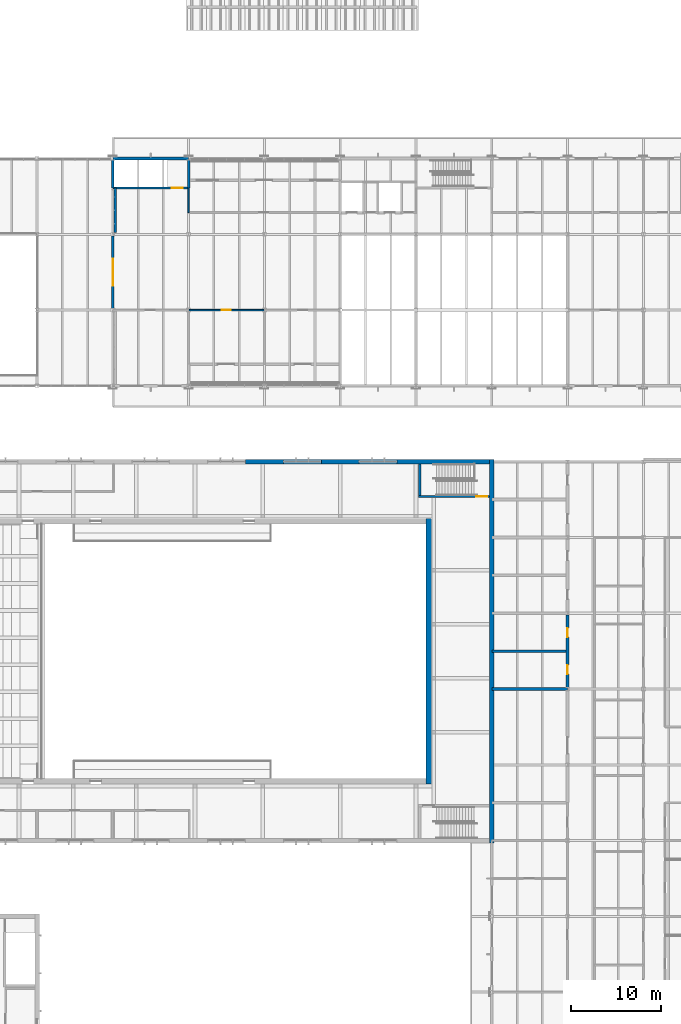
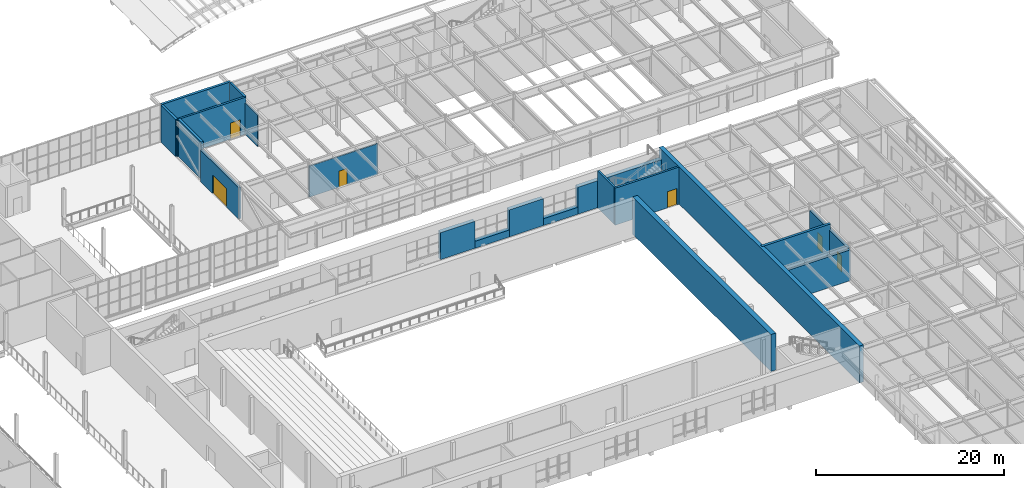
# One storey, part 78 of 116: 20 walls, 6 doors, 6 openings.
"""IFC4 building model written with IfcOpenShell, lengths in metres."""

import ifcopenshell
import ifcopenshell.guid

model = None  # the IFC model being written
_history = None  # IfcOwnerHistory: only IFC2X3 demands one
_inside = {}  # id of a spatial element -> (the spatial element, [elements in it])
_under = {}  # id of a project, library or spatial element -> (it, [spatial elements below it])
_declared = {}  # id of a project -> (the project, [libraries it declares])
_typed = {}  # id of a type object -> (the type object, [elements of that type])
_made_of = {}  # id of a material, layer set ... -> (it, [elements and type objects made of it])


def new_model(schema):
    """Start an empty IFC model of exactly this schema.

    Asked for "IFC4X3", IfcOpenShell would pick the latest addendum, in which some entities
    have other attributes; the version numbers below select the first issue.
    IFC2X3 requires an IfcOwnerHistory on every rooted entity: one is made here for all.
    """
    global model, _history
    if schema == "IFC4X3":
        model = ifcopenshell.file(schema_version=(4, 3, 0, 0))
    else:
        model = ifcopenshell.file(schema=schema)
    _inside.clear()
    _under.clear()
    _declared.clear()
    _typed.clear()
    _made_of.clear()
    _history = None
    if model.schema == "IFC2X3":
        org = make("IfcOrganization", Name="unknown")
        user = make(
            "IfcPersonAndOrganization",
            ThePerson=make("IfcPerson", FamilyName="unknown"),
            TheOrganization=org,
        )
        app = make(
            "IfcApplication",
            ApplicationDeveloper=org,
            Version="unknown",
            ApplicationFullName="unknown",
            ApplicationIdentifier="unknown",
        )
        _history = make(
            "IfcOwnerHistory",
            OwningUser=user,
            OwningApplication=app,
            ChangeAction="ADDED",
            CreationDate=0,
        )
    return model


def make(cls, **values):
    """One entity of the class cls with the attributes given. An attribute that is None is left unset."""
    return model.create_entity(
        cls, **{name: value for name, value in values.items() if value is not None}
    )


def rooted(cls, **values):
    """An entity with a GlobalId (a new one), such as an element, a storey or a relation."""
    return make(cls, GlobalId=ifcopenshell.guid.new(), OwnerHistory=_history, **values)


def si_unit(unit_type, name, prefix=None):
    """IfcSIUnit, for example si_unit("LENGTHUNIT", "METRE", prefix="MILLI")."""
    return make("IfcSIUnit", UnitType=unit_type, Prefix=prefix, Name=name)


def assignment(units):
    """IfcUnitAssignment: the units of a project."""
    return None if units is None else make("IfcUnitAssignment", Units=units)


def point(xyz):
    """IfcCartesianPoint."""
    return None if xyz is None else make("IfcCartesianPoint", Coordinates=xyz)


def direction(xyz):
    """IfcDirection."""
    return None if xyz is None else make("IfcDirection", DirectionRatios=xyz)


def frame(location, z_axis=None, x_axis=None):
    """IfcAxis2Placement3D, a coordinate frame: its origin and axes. An axis left out is left unset."""
    return make(
        "IfcAxis2Placement3D",
        Location=point(location),
        Axis=direction(z_axis),
        RefDirection=direction(x_axis),
    )


def frame_2d(location, x_axis=None):
    """IfcAxis2Placement2D, a coordinate frame in the plane: its origin and x axis."""
    return make(
        "IfcAxis2Placement2D", Location=point(location), RefDirection=direction(x_axis)
    )


def origin():
    """The frame at (0, 0, 0) with its axes left unset."""
    return frame((0.0, 0.0, 0.0))


def place(relative_to, where):
    """IfcLocalPlacement: puts the frame where relative to a parent placement (None: the world)."""
    return make(
        "IfcLocalPlacement", PlacementRelTo=relative_to, RelativePlacement=where
    )


def context(
    kind, dimensions, precision=None, world=None, true_north=None, identifier=None
):
    """IfcGeometricRepresentationContext, for example the 3D "Model" context."""
    return make(
        "IfcGeometricRepresentationContext",
        ContextIdentifier=identifier,
        ContextType=kind,
        CoordinateSpaceDimension=dimensions,
        Precision=precision,
        WorldCoordinateSystem=world,
        TrueNorth=true_north,
    )


def subcontext(parent, identifier, kind, view, scale=None):
    """IfcGeometricRepresentationSubContext, for example "Body" below "Model"."""
    return make(
        "IfcGeometricRepresentationSubContext",
        ContextIdentifier=identifier,
        ContextType=kind,
        ParentContext=parent,
        TargetScale=scale,
        TargetView=view,
    )


def project(units=None, contexts=None):
    """IfcProject with its units and contexts."""
    return rooted(
        "IfcProject",
        Name="project",
        RepresentationContexts=contexts,
        UnitsInContext=assignment(units),
    )


def spatial(cls, under=None, at=None, **own):
    """A site, building, storey or space (cls), placed at a placement, below another one or the project."""
    s = rooted(cls, ObjectPlacement=at, **own)
    if under is not None:
        _under.setdefault(under.id(), (under, []))[1].append(s)
    return s


def profile(cls, at=None, kind="AREA", **sizes):
    """A parametric profile (cls). Its sizes go by their IFC names, for example OverallWidth=200.0."""
    return make(cls, ProfileType=kind, Position=at, **sizes)


def rectangle(**sizes):
    """IfcRectangleProfileDef."""
    return profile("IfcRectangleProfileDef", **sizes)


def extrude(swept, where, along, depth):
    """IfcExtrudedAreaSolid: the profile swept, set in the frame where, extruded along a direction by depth."""
    return make(
        "IfcExtrudedAreaSolid",
        SweptArea=swept,
        Position=where,
        ExtrudedDirection=direction(along),
        Depth=depth,
    )


def shape(context_of_items, identifier, shape_type, items):
    """IfcShapeRepresentation: the items that make up one representation, for example the "Body"."""
    return make(
        "IfcShapeRepresentation",
        ContextOfItems=context_of_items,
        RepresentationIdentifier=identifier,
        RepresentationType=shape_type,
        Items=items,
    )


def material(Name=None, Category=None):
    """IfcMaterial."""
    return make("IfcMaterial", Name=Name, Category=Category)


def layer(
    of_material, thickness, ventilated=None, Name=None, Category=None, Priority=None
):
    """IfcMaterialLayer: one layer of a wall or slab, of a material (None: an air gap)."""
    return make(
        "IfcMaterialLayer",
        Material=of_material,
        LayerThickness=thickness,
        IsVentilated=ventilated,
        Name=Name,
        Category=Category,
        Priority=Priority,
    )


def layer_set(layers, Name=None):
    """IfcMaterialLayerSet."""
    return make("IfcMaterialLayerSet", MaterialLayers=layers, LayerSetName=Name)


def made_of(thing, what):
    """Note that an element or type object is made of a material, layer set ...; save() writes the relation."""
    if what is not None:
        _made_of.setdefault(what.id(), (what, []))[1].append(thing)
    return thing


def type_object(cls, material=None, **own):
    """A type object (cls), such as IfcWallType, which elements share."""
    return made_of(rooted(cls, **own), material)


def element(
    cls,
    number,
    at=None,
    inside=None,
    cuts=None,
    type_object=None,
    material=None,
    context=None,
    identifier="Body",
    shape_type=None,
    held_by="IfcProductDefinitionShape",
    body=None,
    shapes=None,
    **own,
):
    """One element of the class cls, such as IfcWall. Its Tag is "e" and its number.

    at: its placement. inside: the storey or other place that contains it. cuts: it is an
    opening in that element (IfcRelVoidsElement). A single representation is given by context,
    identifier, shape_type and body (its items); several are given by shapes. held_by: the class
    of the entity that holds the representations. save() writes the other relations.
    """
    e = rooted(cls, Tag="e%d" % number, ObjectPlacement=at, **own)
    if body is not None:
        shapes = [shape(context, identifier, shape_type, body)]
    if shapes is not None:
        e.Representation = make(held_by, Representations=shapes)
    if inside is not None:
        _inside.setdefault(inside.id(), (inside, []))[1].append(e)
    if cuts is not None:
        rooted(
            "IfcRelVoidsElement", RelatingBuildingElement=cuts, RelatedOpeningElement=e
        )
    if type_object is not None:
        _typed.setdefault(type_object.id(), (type_object, []))[1].append(e)
    return made_of(e, material)


def fill(opening, filler):
    """IfcRelFillsElement: the door or window that sits in an opening."""
    return rooted(
        "IfcRelFillsElement",
        RelatingOpeningElement=opening,
        RelatedBuildingElement=filler,
    )


def aggregate(whole, parts):
    """IfcRelAggregates: a whole, such as a stair, and the parts it consists of."""
    return rooted("IfcRelAggregates", RelatingObject=whole, RelatedObjects=parts)


def save(model, path):
    """Write the relations noted so far, then the file.

    IfcRelAggregates (storeys below a building ...), IfcRelContainedInSpatialStructure (elements
    in a storey), IfcRelDefinesByType, IfcRelAssociatesMaterial and IfcRelDeclares: one each for
    every whole, place, type object, material and project.
    """
    for whole, parts in _under.values():
        aggregate(whole, parts)
    for where, things in _inside.values():
        rooted(
            "IfcRelContainedInSpatialStructure",
            RelatedElements=things,
            RelatingStructure=where,
        )
    for kind, things in _typed.values():
        rooted("IfcRelDefinesByType", RelatedObjects=things, RelatingType=kind)
    for what, things in _made_of.values():
        rooted("IfcRelAssociatesMaterial", RelatedObjects=things, RelatingMaterial=what)
    for by, libraries in _declared.values():
        rooted("IfcRelDeclares", RelatingContext=by, RelatedDefinitions=libraries)
    model.write(path)


model = new_model("IFC4")

# Units and contexts
model_context = context("Model", 3, precision=1e-05, world=origin(), true_north=direction((0.0, 1.0)))
body_context = subcontext(model_context, "Body", "Model", "MODEL_VIEW")
ifc_project = project(units=[si_unit("LENGTHUNIT", "METRE"), si_unit("AREAUNIT", "SQUARE_METRE"), si_unit("VOLUMEUNIT", "CUBIC_METRE"), si_unit("PLANEANGLEUNIT", "RADIAN"), si_unit("MASSUNIT", "GRAM", prefix="KILO")], contexts=[model_context])

# Site, building, storey
site_placement = place(None, origin())
site = spatial("IfcSite", under=ifc_project, at=site_placement, CompositionType="ELEMENT")
building_placement = place(site_placement, origin())
building = spatial("IfcBuilding", under=site, at=building_placement, Name="Ljudholm Concert House", CompositionType="ELEMENT")
storey_placement = place(building_placement, frame((0.0, 0.0, 10.199951171875)))
storey = spatial("IfcBuildingStorey", under=building, at=storey_placement, Name="L02", CompositionType="ELEMENT", Elevation=10.199951171875)

# Wall, openings, doors
ifc_material_1 = material(Name="Double gypsum board on staggered studs")
ifc_layer_1 = layer(ifc_material_1, 0.300048828125)
ifc_layer_set_1 = layer_set([ifc_layer_1], Name="Double gypsum board on staggered studs")
wall_type_1 = type_object("IfcWallType", Name="ACOUSTIC PARTITION 300", PredefinedType="PARTITIONING", material=ifc_layer_set_1)
wall_1_placement = place(storey_placement, frame((104.800048828125, 71.377685546875, 0.0), z_axis=(0.0, 0.0, 1.0), x_axis=(0.0, 1.0, 0.0)))
wall_1 = element("IfcWall", 1, at=wall_1_placement, inside=storey, type_object=wall_type_1, Name="Acoustic partition", PredefinedType="PARTITIONING", context=body_context, shape_type="SweptSolid", body=[
    extrude(rectangle(XDim=8.04443359375, YDim=0.300048828125, at=frame_2d((4.022216796875, 0.0))), origin(), (0.0, 0.0, 1.0), 4.086669921875),
])
opening_1_placement = place(wall_1_placement, frame((1.47216796875, 0.0, 0.0)))
opening_1 = element("IfcOpeningElement", 2, at=opening_1_placement, cuts=wall_1, Name="Opening D-W02-017", PredefinedType="OPENING", context=body_context, shape_type="SweptSolid", body=[
    extrude(rectangle(XDim=1.0, YDim=2.10009765625, at=frame_2d((0.5, 1.050048828125))), frame((0.0, 0.159912109375, 0.0), z_axis=(0.0, -1.0, 0.0), x_axis=(1.0, 0.0, 0.0)), (0.0, 0.0, 1.0), 0.320068359375),
])
opening_2_placement = place(wall_1_placement, frame((5.572265625, 0.0, 0.0)))
opening_2 = element("IfcOpeningElement", 3, at=opening_2_placement, cuts=wall_1, Name="Opening D-W02-018", PredefinedType="OPENING", context=body_context, shape_type="SweptSolid", body=[
    extrude(rectangle(XDim=1.0, YDim=2.10009765625, at=frame_2d((0.5, 1.050048828125))), frame((0.0, 0.159912109375, 0.0), z_axis=(0.0, -1.0, 0.0), x_axis=(1.0, 0.0, 0.0)), (0.0, 0.0, 1.0), 0.320068359375),
])
ifc_material_2 = material(Name="Hollow metal door in steel frame", Category="steel")
door_type_1 = type_object("IfcDoorType", Name="SWING DOOR 1000x2100", OperationType="SINGLE_SWING_LEFT", PredefinedType="DOOR", material=ifc_material_2)
door_1_placement = place(opening_1_placement, origin())
door_1 = element("IfcDoor", 4, at=door_1_placement, inside=storey, type_object=door_type_1, Name="Door", OperationType="SINGLE_SWING_LEFT", OverallHeight=2.10009765625, OverallWidth=1.0, PredefinedType="DOOR", context=body_context, shape_type="SweptSolid", body=[
    extrude(rectangle(XDim=1.0, YDim=2.10009765625, at=frame_2d((0.5, 1.050048828125))), frame((0.0, 0.02490234375, 0.0), z_axis=(0.0, -1.0, 0.0), x_axis=(1.0, 0.0, 0.0)), (0.0, 0.0, 1.0), 0.050048828125),
])
fill(opening_1, door_1)
door_2_placement = place(opening_2_placement, origin())
door_2 = element("IfcDoor", 5, at=door_2_placement, inside=storey, type_object=door_type_1, Name="Door", OperationType="SINGLE_SWING_RIGHT", OverallHeight=2.10009765625, OverallWidth=1.0, PredefinedType="DOOR", context=body_context, shape_type="SweptSolid", body=[
    extrude(rectangle(XDim=1.0, YDim=2.10009765625, at=frame_2d((0.5, 1.050048828125))), frame((0.0, 0.02490234375, 0.0), z_axis=(0.0, -1.0, 0.0), x_axis=(1.0, 0.0, 0.0)), (0.0, 0.0, 1.0), 0.050048828125),
])
fill(opening_2, door_2)

# Walls
wall_2_placement = place(storey_placement, frame((96.39990234375, 71.199951171875, 0.0), z_axis=(0.0, 0.0, 1.0), x_axis=(1.0, 0.0, 0.0)))
element("IfcWall", 6, at=wall_2_placement, inside=storey, type_object=wall_type_1, Name="Acoustic partition", PredefinedType="PARTITIONING", context=body_context, shape_type="SweptSolid", body=[
    extrude(rectangle(XDim=8.39453125, YDim=0.300048828125, at=frame_2d((4.197265625, 0.0))), origin(), (0.0, 0.0, 1.0), 4.008056640625),
])
wall_3_placement = place(storey_placement, frame((96.39990234375, 75.39990234375, 0.0), z_axis=(0.0, 0.0, 1.0), x_axis=(1.0, 0.0, 0.0)))
element("IfcWall", 7, at=wall_3_placement, inside=storey, type_object=wall_type_1, Name="Acoustic partition", PredefinedType="PARTITIONING", context=body_context, shape_type="SweptSolid", body=[
    extrude(rectangle(XDim=8.400146484375, YDim=0.300048828125, at=frame_2d((4.2001953125, 0.0))), origin(), (0.0, 0.0, 1.0), 4.800048828125),
])
ifc_material_3 = material(Name="Gypsum board on steel studs", Category="steel")
ifc_layer_2 = layer(ifc_material_3, 0.14990234375)
ifc_layer_set_2 = layer_set([ifc_layer_2], Name="Gypsum board on steel studs")
wall_type_2 = type_object("IfcWallType", Name="GYPSUM PARTITION 150", PredefinedType="PARTITIONING", material=ifc_layer_set_2)
wall_4_placement = place(storey_placement, frame((62.800048828125, 124.0, 0.0), z_axis=(0.0, 0.0, 1.0), x_axis=(0.0, 1.0, 0.0)))
element("IfcWall", 8, at=wall_4_placement, inside=storey, type_object=wall_type_2, Name="Partition", PredefinedType="PARTITIONING", context=body_context, shape_type="SweptSolid", body=[
    extrude(rectangle(XDim=2.72509765625, YDim=0.14990234375, at=frame_2d((1.362548828125, 0.0))), origin(), (0.0, 0.0, 1.0), 4.086669921875),
])

# Wall, opening, door
wall_5_placement = place(storey_placement, frame((62.79443359375, 113.199951171875, 0.0), z_axis=(0.0, 0.0, 1.0), x_axis=(1.0, 0.0, 0.0)))
wall_5 = element("IfcWall", 9, at=wall_5_placement, inside=storey, type_object=wall_type_2, Name="Partition", PredefinedType="PARTITIONING", context=body_context, shape_type="SweptSolid", body=[
    extrude(rectangle(XDim=8.4111328125, YDim=0.14990234375, at=frame_2d((4.20556640625, 0.0))), origin(), (0.0, 0.0, 1.0), 4.008056640625),
])
opening_3_placement = place(wall_5_placement, frame((3.655517578125, 0.0, 0.0)))
opening_3 = element("IfcOpeningElement", 10, at=opening_3_placement, cuts=wall_5, Name="Opening D-R02-009", PredefinedType="OPENING", context=body_context, shape_type="SweptSolid", body=[
    extrude(rectangle(XDim=1.0, YDim=2.10009765625, at=frame_2d((0.5, 1.050048828125))), frame((0.0, 0.0849609375, 0.0), z_axis=(0.0, -1.0, 0.0), x_axis=(1.0, 0.0, 0.0)), (0.0, 0.0, 1.0), 0.169921875),
])
door_3_placement = place(opening_3_placement, frame((1.0, 0.0, 0.0), z_axis=(0.0, 0.0, 1.0), x_axis=(-1.0, 0.0, 0.0)))
door_3 = element("IfcDoor", 11, at=door_3_placement, inside=storey, type_object=door_type_1, Name="Door", OperationType="SINGLE_SWING_LEFT", OverallHeight=2.10009765625, OverallWidth=1.0, PredefinedType="DOOR", context=body_context, shape_type="SweptSolid", body=[
    extrude(rectangle(XDim=1.0, YDim=2.10009765625, at=frame_2d((0.5, 1.050048828125))), frame((0.0, 0.02490234375, 0.0), z_axis=(0.0, -1.0, 0.0), x_axis=(1.0, 0.0, 0.0)), (0.0, 0.0, 1.0), 0.050048828125),
])
fill(opening_3, door_3)

ifc_material_4 = material(Name="Concrete masonry unit f'm 13.8 MPa", Category="masonry")
ifc_layer_3 = layer(ifc_material_4, 0.300048828125)
ifc_layer_set_3 = layer_set([ifc_layer_3], Name="Concrete masonry unit f'm 13.8 MPa")
wall_type_3 = type_object("IfcWallType", Name="MASONRY WALL 300", PredefinedType="SOLIDWALL", material=ifc_layer_set_3)
wall_6_placement = place(storey_placement, frame((54.39990234375, 113.377685546875, 0.0), z_axis=(0.0, 0.0, 1.0), x_axis=(0.0, 1.0, 0.0)))
wall_6 = element("IfcWall", 12, at=wall_6_placement, inside=storey, type_object=wall_type_3, Name="Separation wall", PredefinedType="SOLIDWALL", context=body_context, shape_type="SweptSolid", body=[
    extrude(rectangle(XDim=8.04443359375, YDim=0.300048828125, at=frame_2d((4.022216796875, 0.0))), origin(), (0.0, 0.0, 1.0), 4.086669921875),
])
opening_4_placement = place(wall_6_placement, frame((2.522216796875, 0.0, 0.0)))
opening_4 = element("IfcOpeningElement", 13, at=opening_4_placement, cuts=wall_6, Name="Opening D-R02-020", PredefinedType="OPENING", context=body_context, shape_type="SweptSolid", body=[
    extrude(rectangle(XDim=3.0, YDim=2.39990234375, at=frame_2d((1.5, 1.199951171875))), frame((0.0, 0.159912109375, 0.0), z_axis=(0.0, -1.0, 0.0), x_axis=(1.0, 0.0, 0.0)), (0.0, 0.0, 1.0), 0.320068359375),
])
ifc_material_5 = material(Name="Hollow metal door in steel frame", Category="steel")
door_type_2 = type_object("IfcDoorType", Name="DOUBLE DOOR 3000x2400", OperationType="DOUBLE_DOOR_SINGLE_SWING", PredefinedType="DOOR", material=ifc_material_5)
door_4_placement = place(opening_4_placement, frame((3.0, 0.0, 0.0), z_axis=(0.0, 0.0, 1.0), x_axis=(-1.0, 0.0, 0.0)))
door_4 = element("IfcDoor", 14, at=door_4_placement, inside=storey, type_object=door_type_2, Name="Door to the winter garden", OperationType="DOUBLE_DOOR_SINGLE_SWING", OverallHeight=2.39990234375, OverallWidth=3.0, PredefinedType="DOOR", context=body_context, shape_type="SweptSolid", body=[
    extrude(rectangle(XDim=3.0, YDim=2.39990234375, at=frame_2d((1.5, 1.199951171875))), frame((0.0, 0.02490234375, 0.0), z_axis=(0.0, -1.0, 0.0), x_axis=(1.0, 0.0, 0.0)), (0.0, 0.0, 1.0), 0.050048828125),
])
fill(opening_4, door_4)

# Walls
wall_7_placement = place(storey_placement, frame((54.6796875, 121.77783203125, 0.0), z_axis=(0.0, 0.0, 1.0), x_axis=(0.0, 1.0, 0.0)))
element("IfcWall", 15, at=wall_7_placement, inside=storey, type_object=wall_type_3, Name="Separation wall (braced bay)", PredefinedType="SOLIDWALL", context=body_context, shape_type="SweptSolid", body=[
    extrude(rectangle(XDim=4.947265625, YDim=0.300048828125, at=frame_2d((2.4736328125, 0.0))), origin(), (0.0, 0.0, 1.0), 4.800048828125),
])
ifc_material_6 = material(Name="Concrete 6,500 psi", Category="concrete")
ifc_layer_4 = layer(ifc_material_6, 0.25)
ifc_layer_set_4 = layer_set([ifc_layer_4], Name="Concrete 6,500 psi")
wall_type_4 = type_object("IfcWallType", Name="RC CORE WALL 250", PredefinedType="SHEAR", material=ifc_layer_set_4)
wall_8_placement = place(storey_placement, frame((62.800048828125, 126.72509765625, 0.0), z_axis=(0.0, 0.0, 1.0), x_axis=(0.0, 1.0, 0.0)))
element("IfcWall", 16, at=wall_8_placement, inside=storey, type_object=wall_type_4, Name="Stair core wall", PredefinedType="SHEAR", context=body_context, shape_type="SweptSolid", body=[
    extrude(rectangle(XDim=3.09716796875, YDim=0.25, at=frame_2d((1.548583984375, 0.0))), origin(), (0.0, 0.0, 1.0), 4.800048828125),
])

# Wall, opening, door
wall_9_placement = place(storey_placement, frame((54.39990234375, 126.72509765625, 0.0), z_axis=(0.0, 0.0, 1.0), x_axis=(1.0, 0.0, 0.0)))
wall_9 = element("IfcWall", 17, at=wall_9_placement, inside=storey, type_object=wall_type_4, Name="Stair core wall", PredefinedType="SHEAR", context=body_context, shape_type="SweptSolid", body=[
    extrude(rectangle(XDim=8.400146484375, YDim=0.25, at=frame_2d((4.2001953125, 0.0))), origin(), (0.0, 0.0, 1.0), 4.800048828125),
])
opening_5_placement = place(wall_9_placement, frame((6.52490234375, 0.0, 0.0)))
opening_5 = element("IfcOpeningElement", 18, at=opening_5_placement, cuts=wall_9, Name="Opening D-R02-003", PredefinedType="OPENING", context=body_context, shape_type="SweptSolid", body=[
    extrude(rectangle(XDim=1.199951171875, YDim=2.10009765625, at=frame_2d((0.60009765625, 1.050048828125))), frame((0.0, 0.135009765625, 0.0), z_axis=(0.0, -1.0, 0.0), x_axis=(1.0, 0.0, 0.0)), (0.0, 0.0, 1.0), 0.27001953125),
])
ifc_material_7 = material(Name="Hollow metal door in steel frame", Category="steel")
door_type_3 = type_object("IfcDoorType", Name="SWING DOOR 1200x2100", OperationType="SINGLE_SWING_LEFT", PredefinedType="DOOR", material=ifc_material_7)
door_5_placement = place(opening_5_placement, frame((1.199951171875, 0.0, 0.0), z_axis=(0.0, 0.0, 1.0), x_axis=(-1.0, 0.0, 0.0)))
door_5 = element("IfcDoor", 19, at=door_5_placement, inside=storey, type_object=door_type_3, Name="Door", OperationType="SINGLE_SWING_LEFT", OverallHeight=2.10009765625, OverallWidth=1.199951171875, PredefinedType="DOOR", context=body_context, shape_type="SweptSolid", body=[
    extrude(rectangle(XDim=1.199951171875, YDim=2.10009765625, at=frame_2d((0.60009765625, 1.050048828125))), frame((0.0, 0.02490234375, 0.0), z_axis=(0.0, -1.0, 0.0), x_axis=(1.0, 0.0, 0.0)), (0.0, 0.0, 1.0), 0.050048828125),
])
fill(opening_5, door_5)

# Walls
ifc_material_8 = material(Name="Concrete 6,500 psi", Category="concrete")
ifc_layer_5 = layer(ifc_material_8, 0.300048828125)
ifc_layer_set_5 = layer_set([ifc_layer_5], Name="Concrete 6,500 psi")
wall_type_5 = type_object("IfcWallType", Name="RC CORE WALL 300", PredefinedType="SHEAR", material=ifc_layer_set_5)
wall_10_placement = place(storey_placement, frame((54.405517578125, 130.0, 0.0), z_axis=(0.0, 0.0, 1.0), x_axis=(1.0, 0.0, 0.0)))
element("IfcWall", 20, at=wall_10_placement, inside=storey, type_object=wall_type_5, Name="Stair core wall", PredefinedType="SHEAR", context=body_context, shape_type="SweptSolid", body=[
    extrude(rectangle(XDim=8.388916015625, YDim=0.300048828125, at=frame_2d((4.1943359375, 0.0))), origin(), (0.0, 0.0, 1.0), 4.800048828125),
])
ifc_material_9 = material(Name="Concrete 6,500 psi", Category="concrete")
ifc_layer_6 = layer(ifc_material_9, 0.300048828125)
ifc_layer_set_6 = layer_set([ifc_layer_6], Name="Concrete 6,500 psi")
wall_type_6 = type_object("IfcWallType", Name="RC CORE WALL 300 INTERNAL", PredefinedType="SHEAR", material=ifc_layer_set_6)
wall_11_placement = place(storey_placement, frame((54.39990234375, 126.72509765625, 0.0), z_axis=(0.0, 0.0, 1.0), x_axis=(0.0, 1.0, 0.0)))
element("IfcWall", 21, at=wall_11_placement, inside=storey, type_object=wall_type_6, Name="Stair core wall", PredefinedType="SHEAR", context=body_context, shape_type="SweptSolid", body=[
    extrude(rectangle(XDim=3.09716796875, YDim=0.300048828125, at=frame_2d((1.548583984375, 0.0))), origin(), (0.0, 0.0, 1.0), 4.800048828125),
])

# Wall, opening, door
ifc_material_10 = material(Name="Concrete 6,500 psi", Category="concrete")
ifc_layer_7 = layer(ifc_material_10, 0.25)
ifc_layer_set_7 = layer_set([ifc_layer_7], Name="Concrete 6,500 psi")
wall_type_7 = type_object("IfcWallType", Name="RC WALL 250", PredefinedType="SOLIDWALL", material=ifc_layer_set_7)
wall_12_placement = place(storey_placement, frame((88.300048828125, 92.52490234375, 0.0), z_axis=(0.0, 0.0, 1.0), x_axis=(1.0, 0.0, 0.0)))
wall_12 = element("IfcWall", 22, at=wall_12_placement, inside=storey, type_object=wall_type_7, Name="Stair enclosure wall EH4", PredefinedType="SOLIDWALL", context=body_context, shape_type="SweptSolid", body=[
    extrude(rectangle(XDim=7.849853515625, YDim=0.25, at=frame_2d((3.9248046875, 0.0))), origin(), (0.0, 0.0, 1.0), 4.800048828125),
])
opening_6_placement = place(wall_12_placement, frame((6.39990234375, 0.0, 0.0)))
opening_6 = element("IfcOpeningElement", 23, at=opening_6_placement, cuts=wall_12, Name="Opening D-H02-010", PredefinedType="OPENING", context=body_context, shape_type="SweptSolid", body=[
    extrude(rectangle(XDim=1.199951171875, YDim=2.10009765625, at=frame_2d((0.60009765625, 1.050048828125))), frame((0.0, 0.135009765625, 0.0), z_axis=(0.0, -1.0, 0.0), x_axis=(1.0, 0.0, 0.0)), (0.0, 0.0, 1.0), 0.27001953125),
])
door_6_placement = place(opening_6_placement, origin())
door_6 = element("IfcDoor", 24, at=door_6_placement, inside=storey, type_object=door_type_3, Name="Exit stair EH4 door", OperationType="SINGLE_SWING_LEFT", OverallHeight=2.10009765625, OverallWidth=1.199951171875, PredefinedType="DOOR", context=body_context, shape_type="SweptSolid", body=[
    extrude(rectangle(XDim=1.199951171875, YDim=2.10009765625, at=frame_2d((0.60009765625, 1.050048828125))), frame((0.0, 0.02490234375, 0.0), z_axis=(0.0, -1.0, 0.0), x_axis=(1.0, 0.0, 0.0)), (0.0, 0.0, 1.0), 0.050048828125),
])
fill(opening_6, door_6)

# Walls
wall_13_placement = place(storey_placement, frame((88.425048828125, 92.64990234375, 0.0), z_axis=(0.0, 0.0, 1.0), x_axis=(0.0, 1.0, 0.0)))
element("IfcWall", 25, at=wall_13_placement, inside=storey, type_object=wall_type_7, Name="Stair enclosure wall EH4", PredefinedType="SOLIDWALL", context=body_context, shape_type="SweptSolid", body=[
    extrude(rectangle(XDim=3.5, YDim=0.25, at=frame_2d((1.75, 0.0))), origin(), (0.0, 0.0, 1.0), 4.800048828125),
])
ifc_material_11 = material(Name="Concrete 6,500 psi", Category="concrete")
ifc_layer_8 = layer(ifc_material_11, 0.5)
ifc_layer_set_8 = layer_set([ifc_layer_8], Name="Concrete 6,500 psi")
wall_type_8 = type_object("IfcWallType", Name="RC WALL 500", PredefinedType="SOLIDWALL", material=ifc_layer_set_8)
wall_14_placement = place(storey_placement, frame((96.39990234375, 54.14990234375, 0.0), z_axis=(0.0, 0.0, 1.0), x_axis=(0.0, 1.0, 0.0)))
element("IfcWall", 26, at=wall_14_placement, inside=storey, type_object=wall_type_8, Name="Outer wall E", PredefinedType="SOLIDWALL", context=body_context, shape_type="SweptSolid", body=[
    extrude(rectangle(XDim=42.5, YDim=0.5, at=frame_2d((21.25, 0.0))), origin(), (0.0, 0.0, 1.0), 4.800048828125),
])
for number, where, z_axis, x_axis, name in (
    (27, (69.10009765625, 96.39990234375, 0.0), (0.0, 0.0, 1.0), (1.0, 0.0, 0.0), "Outer wall N"),
    (28, (77.5, 96.39990234375, 0.0), (0.0, 0.0, 1.0), (1.0, 0.0, 0.0), "Outer wall N"),
):
    element("IfcWall", number, at=place(storey_placement, frame(where, z_axis=z_axis, x_axis=x_axis)), inside=storey, type_object=wall_type_8, Name=name, PredefinedType="SOLIDWALL", context=body_context, shape_type="SweptSolid", body=[
        extrude(rectangle(XDim=4.199951171875, YDim=0.5, at=frame_2d((2.10009765625, 0.0))), origin(), (0.0, 0.0, 1.0), 3.5),
    ])
wall_15_placement = place(storey_placement, frame((85.89990234375, 96.39990234375, 0.0), z_axis=(0.0, 0.0, 1.0), x_axis=(1.0, 0.0, 0.0)))
element("IfcWall", 29, at=wall_15_placement, inside=storey, type_object=wall_type_8, Name="Outer wall N", PredefinedType="SOLIDWALL", context=body_context, shape_type="SweptSolid", body=[
    extrude(rectangle(XDim=10.25, YDim=0.5, at=frame_2d((5.125, 0.0))), origin(), (0.0, 0.0, 1.0), 3.5),
])
for number, where, z_axis, x_axis, name in (
    (30, (73.300048828125, 96.39990234375, 0.0), (0.0, 0.0, 1.0), (1.0, 0.0, 0.0), "Outer wall N"),
    (31, (81.699951171875, 96.39990234375, 0.0), (0.0, 0.0, 1.0), (1.0, 0.0, 0.0), "Outer wall N"),
):
    element("IfcWall", number, at=place(storey_placement, frame(where, z_axis=z_axis, x_axis=x_axis)), inside=storey, type_object=wall_type_8, Name=name, PredefinedType="SOLIDWALL", context=body_context, shape_type="SweptSolid", body=[
        extrude(rectangle(XDim=4.199951171875, YDim=0.5, at=frame_2d((2.10009765625, 0.0))), origin(), (0.0, 0.0, 1.0), 0.900146484375),
    ])
ifc_material_12 = material(Name="Concrete 6,500 psi", Category="concrete")
ifc_layer_9 = layer(ifc_material_12, 0.60009765625)
ifc_layer_set_9 = layer_set([ifc_layer_9], Name="Concrete 6,500 psi")
wall_type_9 = type_object("IfcWallType", Name="RC WALL 600", PredefinedType="SOLIDWALL", material=ifc_layer_set_9)
wall_16_placement = place(storey_placement, frame((89.39990234375, 60.699951171875, 0.0), z_axis=(0.0, 0.0, 1.0), x_axis=(0.0, 1.0, 0.0)))
element("IfcWall", 32, at=wall_16_placement, inside=storey, type_object=wall_type_9, Name="Inner box wall E", PredefinedType="SOLIDWALL", context=body_context, shape_type="SweptSolid", body=[
    extrude(rectangle(XDim=29.400146484375, YDim=0.60009765625, at=frame_2d((14.7001953125, 0.0))), origin(), (0.0, 0.0, 1.0), 4.800048828125),
])

save(model, "model.ifc")
